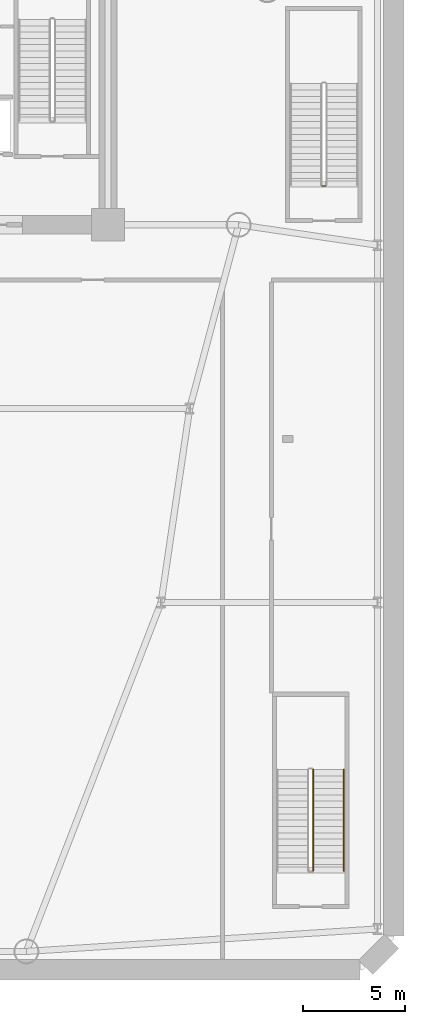
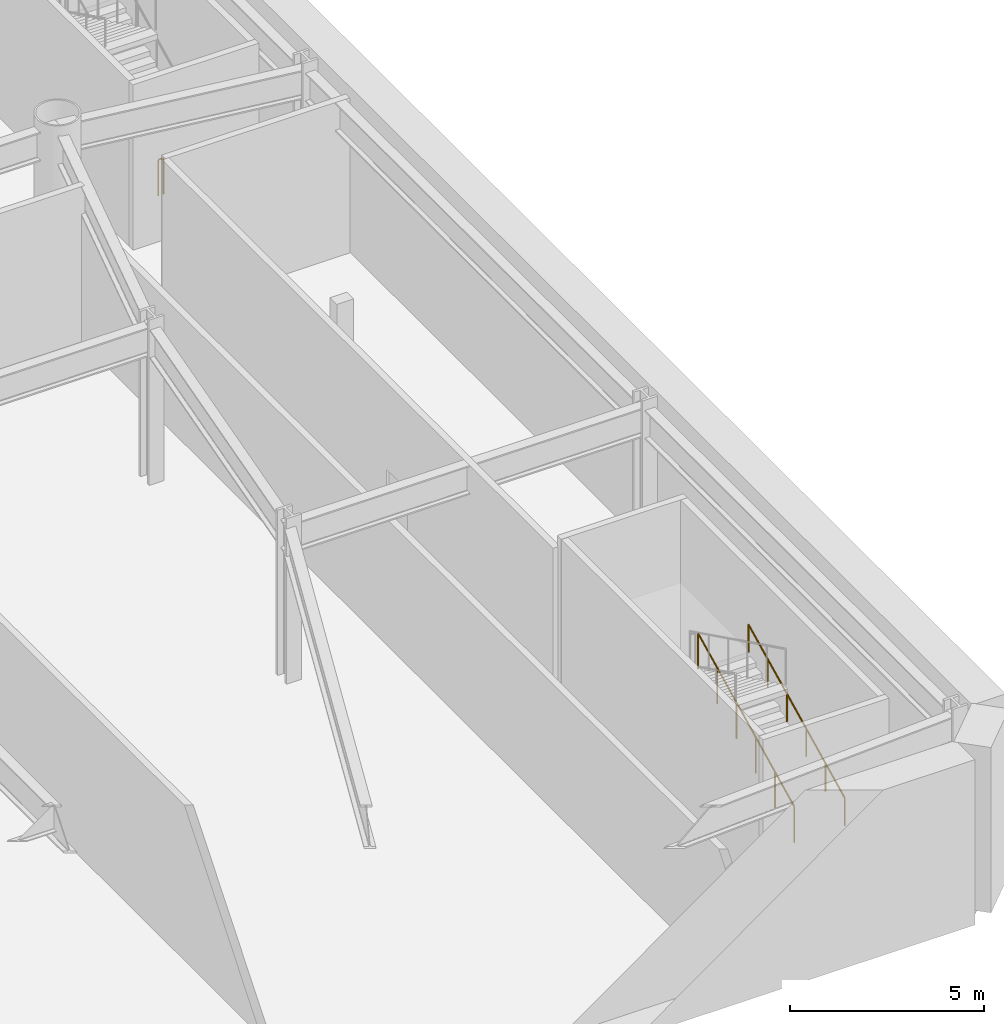
# One storey, part 8 of 9: 3 railings.
"""IFC4 building model written with IfcOpenShell, lengths in metres."""

from ifc_helpers import new_model, si_unit, direction, frame, origin, origin_2d, place, context, subcontext, project, spatial, circle, extrude, material, type_object, element, save


model = new_model("IFC4")

# Units and contexts
model_context = context("Model", 3, precision=1e-05, world=origin(), true_north=direction((0.0, 1.0)))
body_context = subcontext(model_context, "Body", "Model", "MODEL_VIEW")
ifc_project = project(units=[si_unit("LENGTHUNIT", "METRE"), si_unit("AREAUNIT", "SQUARE_METRE"), si_unit("VOLUMEUNIT", "CUBIC_METRE"), si_unit("PLANEANGLEUNIT", "RADIAN"), si_unit("MASSUNIT", "GRAM", prefix="KILO")], contexts=[model_context])

# Site, building, storey
site_placement = place(None, origin())
site = spatial("IfcSite", under=ifc_project, at=site_placement, CompositionType="ELEMENT")
building_placement = place(site_placement, origin())
building = spatial("IfcBuilding", under=site, at=building_placement, Name="Vaeldorn Concourse Tower", CompositionType="ELEMENT")
storey_placement = place(building_placement, frame((0.0, 0.0, -10.39990234375)))
storey = spatial("IfcBuildingStorey", under=building, at=storey_placement, Name="B02", CompositionType="ELEMENT", Elevation=-10.39990234375)

# Railings
ifc_material = material(Name="Anodised Bronze Aluminium", Category="aluminium")
railing_type_1 = type_object("IfcRailingType", Name="RL-STAIR-GUARD", PredefinedType="GUARDRAIL", material=ifc_material)
railing_1_placement = place(storey_placement, frame((64.64990234375, 38.39990234375, 0.0)))
element("IfcRailing", 1, at=railing_1_placement, inside=storey, type_object=railing_type_1, Name="B02 ST-4 stair guard 4", PredefinedType="GUARDRAIL", context=body_context, shape_type="SweptSolid", body=[
    extrude(circle(Radius=0.02392578125, at=origin_2d()), frame((0.0, 0.0, 1.1259765625), z_axis=(-1.0, 0.0, 0.0), x_axis=(0.0, -1.0, 0.0)), (0.0, 0.0, 1.0), 0.14990234375),
    extrude(circle(Radius=0.02099609375, at=origin_2d()), origin(), (0.0, 0.0, 1.0), 1.101806640625),
    extrude(circle(Radius=0.02099609375, at=origin_2d()), frame((-0.14990234375, 0.0, 0.0)), (0.0, 0.0, 1.0), 1.101806640625),
])
railing_2_placement = place(storey_placement, frame((64.050048828125, 4.85009765625, 0.15283203125)))
element("IfcRailing", 2, at=railing_2_placement, inside=storey, type_object=railing_type_1, Name="B02 ST-5 stair guard 1", PredefinedType="GUARDRAIL", context=body_context, shape_type="SweptSolid", body=[
    extrude(circle(Radius=0.02392578125, at=origin_2d()), frame((0.0, 0.0, 1.1259765625), z_axis=(0.0, 0.896798178328, 0.442439857323), x_axis=(-1.0, 0.0, 0.0)), (0.0, 0.0, 1.0), 5.53076171875),
    extrude(circle(Radius=0.02099609375, at=origin_2d()), origin(), (0.0, 0.0, 1.0), 1.101806640625),
    extrude(circle(Radius=0.02099609375, at=origin_2d()), frame((0.0, 0.991943359375, 0.489501953125)), (0.0, 0.0, 1.0), 1.101806640625),
    extrude(circle(Radius=0.02099609375, at=origin_2d()), frame((0.0, 1.98388671875, 0.978759765625)), (0.0, 0.0, 1.0), 1.101806640625),
    extrude(circle(Radius=0.02099609375, at=origin_2d()), frame((0.0, 2.97607421875, 1.46826171875)), (0.0, 0.0, 1.0), 1.101806640625),
    extrude(circle(Radius=0.02099609375, at=origin_2d()), frame((0.0, 3.968017578125, 1.95751953125)), (0.0, 0.0, 1.0), 1.101806640625),
    extrude(circle(Radius=0.02099609375, at=origin_2d()), frame((0.0, 4.9599609375, 2.447021484375)), (0.0, 0.0, 1.0), 1.101806640625),
])
railing_type_2 = type_object("IfcRailingType", Name="RL-STAIR-HANDRAIL", PredefinedType="HANDRAIL", material=ifc_material)
railing_3_placement = place(storey_placement, frame((65.550048828125, 4.85009765625, 0.15283203125)))
element("IfcRailing", 3, at=railing_3_placement, inside=storey, type_object=railing_type_2, Name="B02 ST-5 stair handrail 1", PredefinedType="HANDRAIL", context=body_context, shape_type="SweptSolid", body=[
    extrude(circle(Radius=0.02392578125, at=origin_2d()), frame((0.0, 0.0, 0.8759765625), z_axis=(0.0, 0.896798178328, 0.442439857323), x_axis=(-1.0, 0.0, 0.0)), (0.0, 0.0, 1.0), 5.53076171875),
    extrude(circle(Radius=0.02099609375, at=origin_2d()), origin(), (0.0, 0.0, 1.0), 0.851806640625),
    extrude(circle(Radius=0.02099609375, at=origin_2d()), frame((0.0, 0.991943359375, 0.489501953125)), (0.0, 0.0, 1.0), 0.851806640625),
    extrude(circle(Radius=0.02099609375, at=origin_2d()), frame((0.0, 1.98388671875, 0.978759765625)), (0.0, 0.0, 1.0), 0.851806640625),
    extrude(circle(Radius=0.02099609375, at=origin_2d()), frame((0.0, 2.97607421875, 1.46826171875)), (0.0, 0.0, 1.0), 0.851806640625),
    extrude(circle(Radius=0.02099609375, at=origin_2d()), frame((0.0, 3.968017578125, 1.95751953125)), (0.0, 0.0, 1.0), 0.851806640625),
    extrude(circle(Radius=0.02099609375, at=origin_2d()), frame((0.0, 4.9599609375, 2.447021484375)), (0.0, 0.0, 1.0), 0.851806640625),
])

save(model, "model.ifc")
